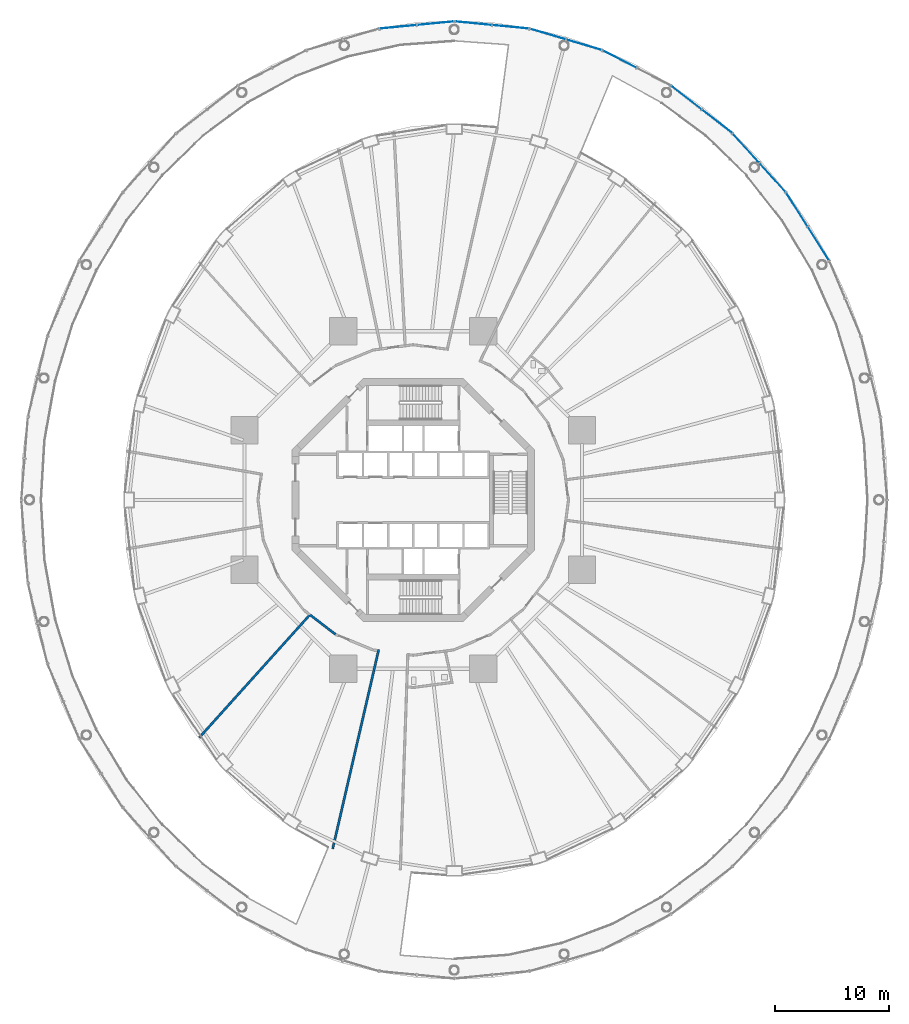
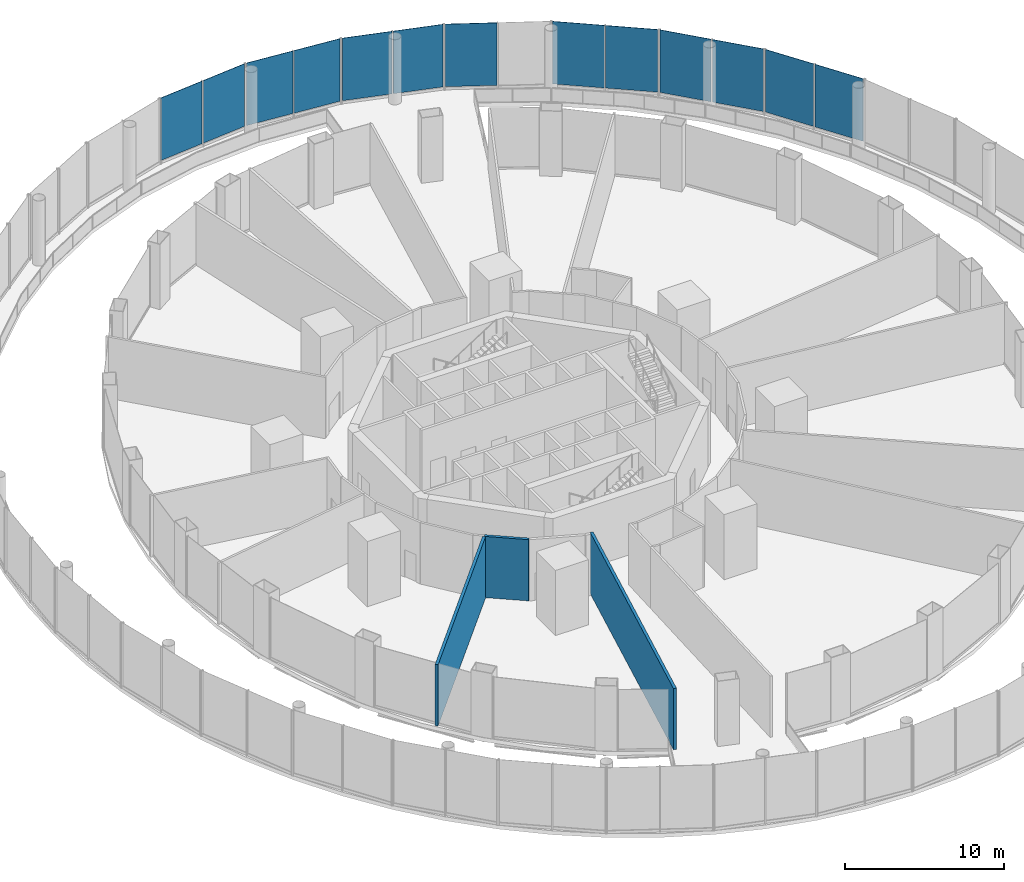
# One storey, part 41 of 47: 13 plates, 3 walls, 7 elements without a shape of their own.
"""IFC4 building model written with IfcOpenShell, lengths in metres."""

from ifc_helpers import new_model, si_unit, direction, frame, frame_2d, origin, origin_2d, place, context, subcontext, project, spatial, rectangle, extrude, material, layer, layer_set, type_object, element, aggregate, save


model = new_model("IFC4")

# Units and contexts
model_context = context("Model", 3, precision=1e-05, world=origin(), true_north=direction((0.0, 1.0)))
body_context = subcontext(model_context, "Body", "Model", "MODEL_VIEW")
ifc_project = project(units=[si_unit("LENGTHUNIT", "METRE"), si_unit("AREAUNIT", "SQUARE_METRE"), si_unit("VOLUMEUNIT", "CUBIC_METRE"), si_unit("PLANEANGLEUNIT", "RADIAN"), si_unit("MASSUNIT", "GRAM", prefix="KILO")], contexts=[model_context])

# Site, building, storey
site_placement = place(None, origin())
site = spatial("IfcSite", under=ifc_project, at=site_placement, CompositionType="ELEMENT")
building_placement = place(site_placement, origin())
building = spatial("IfcBuilding", under=site, at=building_placement, Name="Nagisa Residences", CompositionType="ELEMENT")
storey_placement = place(building_placement, frame((0.0, 0.0, 17.0)))
storey = spatial("IfcBuildingStorey", under=building, at=storey_placement, Name="L03", CompositionType="ELEMENT", Elevation=17.0)

# Curtain wall, plates
ifc_material_1 = material(Name="Stainless steel curtain wall system", Category="steel")
ifc_layer_1 = layer(ifc_material_1, 0.159912109375)
ifc_layer_set_1 = layer_set([ifc_layer_1], Name="CW3 CURTAIN WALL")
curtain_wall_type = type_object("IfcCurtainWallType", Name="CW3 CURTAIN WALL", PredefinedType="NOTDEFINED", material=ifc_layer_set_1)
curtain_wall_1_placement = place(storey_placement, origin())
curtain_wall_1 = element("IfcCurtainWall", 1, at=curtain_wall_1_placement, inside=storey, type_object=curtain_wall_type, Name="cw:CW3:L03:03", PredefinedType="NOTDEFINED")
ifc_material_2 = material(Name="Low-iron laminated glass", Category="glass")
ifc_layer_2 = layer(ifc_material_2, 0.028076171875)
ifc_layer_set_2 = layer_set([ifc_layer_2], Name="CW3 GLASS PANEL")
plate_type = type_object("IfcPlateType", Name="CW3 GLASS PANEL", PredefinedType="CURTAIN_PANEL", material=ifc_layer_set_2)
plate_1_placement = place(storey_placement, frame((35.48095703125, 22.473388671875, 0.2001953125), z_axis=(0.0, 0.0, 1.0), x_axis=(-0.535165286856, 0.844747368001, 0.0)))
plate_1 = element("IfcPlate", 2, at=plate_1_placement, type_object=plate_type, Name="CW3 panel", PredefinedType="CURTAIN_PANEL", context=body_context, shape_type="SweptSolid", body=[
    extrude(rectangle(XDim=3.4296875, YDim=0.028076171875, at=origin_2d()), origin(), (0.0, 0.0, 1.0), 4.800048828125),
])
plate_2_placement = place(storey_placement, frame((33.6025390625, 25.43798828125, 0.2001953125), z_axis=(0.0, 0.0, 1.0), x_axis=(-0.535165286856, 0.844747368001, 0.0)))
plate_2 = element("IfcPlate", 3, at=plate_2_placement, type_object=plate_type, Name="CW3 panel", PredefinedType="CURTAIN_PANEL", context=body_context, shape_type="SweptSolid", body=[
    extrude(rectangle(XDim=3.4296875, YDim=0.028076171875, at=origin_2d()), origin(), (0.0, 0.0, 1.0), 4.800048828125),
])
aggregate(curtain_wall_1, [plate_1, plate_2])

curtain_wall_2_placement = place(storey_placement, origin())
curtain_wall_2 = element("IfcCurtainWall", 4, at=curtain_wall_2_placement, inside=storey, type_object=curtain_wall_type, Name="cw:CW3:L03:04", PredefinedType="NOTDEFINED")
plate_3_placement = place(storey_placement, frame((31.466064453125, 28.25244140625, 0.2001953125), z_axis=(0.0, 0.0, 1.0), x_axis=(-0.670913323971, 0.741535779122, 0.0)))
plate_3 = element("IfcPlate", 5, at=plate_3_placement, type_object=plate_type, Name="CW3 panel", PredefinedType="CURTAIN_PANEL", context=body_context, shape_type="SweptSolid", body=[
    extrude(rectangle(XDim=3.37060546875, YDim=0.028076171875, at=origin_2d()), origin(), (0.0, 0.0, 1.0), 4.800048828125),
])
plate_4_placement = place(storey_placement, frame((29.15087890625, 30.811279296875, 0.2001953125), z_axis=(0.0, 0.0, 1.0), x_axis=(-0.670913323971, 0.741535779122, 0.0)))
plate_4 = element("IfcPlate", 6, at=plate_4_placement, type_object=plate_type, Name="CW3 panel", PredefinedType="CURTAIN_PANEL", context=body_context, shape_type="SweptSolid", body=[
    extrude(rectangle(XDim=3.37060546875, YDim=0.028076171875, at=origin_2d()), origin(), (0.0, 0.0, 1.0), 4.800048828125),
])
aggregate(curtain_wall_2, [plate_3, plate_4])

curtain_wall_3_placement = place(storey_placement, origin())
curtain_wall_3 = element("IfcCurtainWall", 7, at=curtain_wall_3_placement, inside=storey, type_object=curtain_wall_type, Name="cw:CW3:L03:05", PredefinedType="NOTDEFINED")
plate_5_placement = place(storey_placement, frame((26.604736328125, 33.172607421875, 0.2001953125), z_axis=(0.0, 0.0, 1.0), x_axis=(-0.790830864353, 0.612034757172, 0.0)))
plate_5 = element("IfcPlate", 8, at=plate_5_placement, type_object=plate_type, Name="CW3 panel", PredefinedType="CURTAIN_PANEL", context=body_context, shape_type="SweptSolid", body=[
    extrude(rectangle(XDim=3.310546875, YDim=0.028076171875, at=origin_2d()), origin(), (0.0, 0.0, 1.0), 4.800048828125),
])
plate_6_placement = place(storey_placement, frame((23.92333984375, 35.247802734375, 0.2001953125), z_axis=(0.0, 0.0, 1.0), x_axis=(-0.790830864353, 0.612034757172, 0.0)))
plate_6 = element("IfcPlate", 9, at=plate_6_placement, type_object=plate_type, Name="CW3 panel", PredefinedType="CURTAIN_PANEL", context=body_context, shape_type="SweptSolid", body=[
    extrude(rectangle(XDim=3.310546875, YDim=0.028076171875, at=origin_2d()), origin(), (0.0, 0.0, 1.0), 4.800048828125),
])
aggregate(curtain_wall_3, [plate_5, plate_6])

# Curtain wall, plate
curtain_wall_4_placement = place(storey_placement, origin())
curtain_wall_4 = element("IfcCurtainWall", 10, at=curtain_wall_4_placement, inside=storey, type_object=curtain_wall_type, Name="cw:CW3:L03:06", PredefinedType="NOTDEFINED")
plate_7_placement = place(storey_placement, frame((18.07861328125, 38.61328125, 0.2001953125), z_axis=(0.0, 0.0, 1.0), x_axis=(-0.888887270285, 0.45812598783, 0.0)))
plate_7 = element("IfcPlate", 11, at=plate_7_placement, type_object=plate_type, Name="CW3 panel", PredefinedType="CURTAIN_PANEL", context=body_context, shape_type="SweptSolid", body=[
    extrude(rectangle(XDim=3.2568359375, YDim=0.028076171875, at=origin_2d()), origin(), (0.0, 0.0, 1.0), 4.800048828125),
])
aggregate(curtain_wall_4, [plate_7])

# Curtain wall, plates
curtain_wall_5_placement = place(storey_placement, origin())
curtain_wall_5 = element("IfcCurtainWall", 12, at=curtain_wall_5_placement, inside=storey, type_object=curtain_wall_type, Name="cw:CW3:L03:07", PredefinedType="NOTDEFINED")
plate_8_placement = place(storey_placement, frame((14.955322265625, 39.869873046875, 0.2001953125), z_axis=(0.0, 0.0, 1.0), x_axis=(-0.958835171393, 0.283963226669, 0.0)))
plate_8 = element("IfcPlate", 13, at=plate_8_placement, type_object=plate_type, Name="CW3 panel", PredefinedType="CURTAIN_PANEL", context=body_context, shape_type="SweptSolid", body=[
    extrude(rectangle(XDim=3.21630859375, YDim=0.028076171875, at=origin_2d()), origin(), (0.0, 0.0, 1.0), 4.800048828125),
])
plate_9_placement = place(storey_placement, frame((11.794677734375, 40.805908203125, 0.2001953125), z_axis=(0.0, 0.0, 1.0), x_axis=(-0.958835171393, 0.283963226669, 0.0)))
plate_9 = element("IfcPlate", 14, at=plate_9_placement, type_object=plate_type, Name="CW3 panel", PredefinedType="CURTAIN_PANEL", context=body_context, shape_type="SweptSolid", body=[
    extrude(rectangle(XDim=3.21630859375, YDim=0.028076171875, at=origin_2d()), origin(), (0.0, 0.0, 1.0), 4.800048828125),
])
aggregate(curtain_wall_5, [plate_8, plate_9])

curtain_wall_6_placement = place(storey_placement, origin())
curtain_wall_6 = element("IfcCurtainWall", 15, at=curtain_wall_6_placement, inside=storey, type_object=curtain_wall_type, Name="cw:CW3:L03:08", PredefinedType="NOTDEFINED")
plate_10_placement = place(storey_placement, frame((8.521484375, 41.44384765625, 0.2001953125), z_axis=(0.0, 0.0, 1.0), x_axis=(-0.995357282289, 0.096249055035, 0.0)))
plate_10 = element("IfcPlate", 16, at=plate_10_placement, type_object=plate_type, Name="CW3 panel", PredefinedType="CURTAIN_PANEL", context=body_context, shape_type="SweptSolid", body=[
    extrude(rectangle(XDim=3.19482421875, YDim=0.028076171875, at=origin_2d()), origin(), (0.0, 0.0, 1.0), 4.800048828125),
])
plate_11_placement = place(storey_placement, frame((5.261962890625, 41.759033203125, 0.2001953125), z_axis=(0.0, 0.0, 1.0), x_axis=(-0.995357282289, 0.096249055035, 0.0)))
plate_11 = element("IfcPlate", 17, at=plate_11_placement, type_object=plate_type, Name="CW3 panel", PredefinedType="CURTAIN_PANEL", context=body_context, shape_type="SweptSolid", body=[
    extrude(rectangle(XDim=3.19482421875, YDim=0.028076171875, at=origin_2d()), origin(), (0.0, 0.0, 1.0), 4.800048828125),
])
aggregate(curtain_wall_6, [plate_10, plate_11])

curtain_wall_7_placement = place(storey_placement, origin())
curtain_wall_7 = element("IfcCurtainWall", 18, at=curtain_wall_7_placement, inside=storey, type_object=curtain_wall_type, Name="cw:CW3:L03:09", PredefinedType="NOTDEFINED")
plate_12_placement = place(storey_placement, frame((1.938232421875, 41.759033203125, 0.2001953125), z_axis=(0.0, 0.0, 1.0), x_axis=(-0.995357282289, -0.096249055035, 0.0)))
plate_12 = element("IfcPlate", 19, at=plate_12_placement, type_object=plate_type, Name="CW3 panel", PredefinedType="CURTAIN_PANEL", context=body_context, shape_type="SweptSolid", body=[
    extrude(rectangle(XDim=3.19482421875, YDim=0.028076171875, at=origin_2d()), origin(), (0.0, 0.0, 1.0), 4.800048828125),
])
plate_13_placement = place(storey_placement, frame((-1.3212890625, 41.44384765625, 0.2001953125), z_axis=(0.0, 0.0, 1.0), x_axis=(-0.995357282289, -0.096249055035, 0.0)))
plate_13 = element("IfcPlate", 20, at=plate_13_placement, type_object=plate_type, Name="CW3 panel", PredefinedType="CURTAIN_PANEL", context=body_context, shape_type="SweptSolid", body=[
    extrude(rectangle(XDim=3.19482421875, YDim=0.028076171875, at=origin_2d()), origin(), (0.0, 0.0, 1.0), 4.800048828125),
])
aggregate(curtain_wall_7, [plate_12, plate_13])

# Walls
ifc_material_3 = material(Name="Gypsum board on steel studs", Category="steel")
ifc_layer_3 = layer(ifc_material_3, 0.199951171875)
ifc_layer_set_3 = layer_set([ifc_layer_3], Name="Plant room wall EI120 200")
wall_type = type_object("IfcWallType", Name="Plant room wall EI120 200", PredefinedType="PARTITIONING", material=ifc_layer_set_3)
wall_1_placement = place(storey_placement, frame((-9.117431640625, -10.125732421875, 0.0), z_axis=(0.0, 0.0, 1.0), x_axis=(-0.669127133422, -0.743147952509, 0.0)))
element("IfcWall", 21, at=wall_1_placement, inside=storey, type_object=wall_type, Name="wall:L03:am049", PredefinedType="PARTITIONING", context=body_context, shape_type="SweptSolid", body=[
    extrude(rectangle(XDim=14.3671875, YDim=0.199951171875, at=frame_2d((7.18359375, 0.0))), origin(), (0.0, 0.0, 1.0), 4.699951171875),
])
wall_2_placement = place(storey_placement, frame((-7.053466796875, -30.552490234375, 0.0), z_axis=(0.0, 0.0, 1.0), x_axis=(0.224939147882, 0.974372813532, 0.0)))
element("IfcWall", 22, at=wall_2_placement, inside=storey, type_object=wall_type, Name="wall:L03:am050", PredefinedType="PARTITIONING", context=body_context, shape_type="SweptSolid", body=[
    extrude(rectangle(XDim=17.91064453125, YDim=0.199951171875, at=frame_2d((8.955322265625, 0.0))), origin(), (0.0, 0.0, 1.0), 4.699951171875),
])
wall_3_placement = place(storey_placement, frame((-6.81201171875, -11.7685546875, 0.0), z_axis=(0.0, 0.0, 1.0), x_axis=(-0.793389024662, 0.608714921409, 0.0)))
element("IfcWall", 23, at=wall_3_placement, inside=storey, type_object=wall_type, Name="wall:L03:am051", PredefinedType="PARTITIONING", context=body_context, shape_type="SweptSolid", body=[
    extrude(rectangle(XDim=2.821044921875, YDim=0.199951171875, at=frame_2d((1.41064453125, 0.0))), origin(), (0.0, 0.0, 1.0), 4.699951171875),
])

save(model, "model.ifc")
